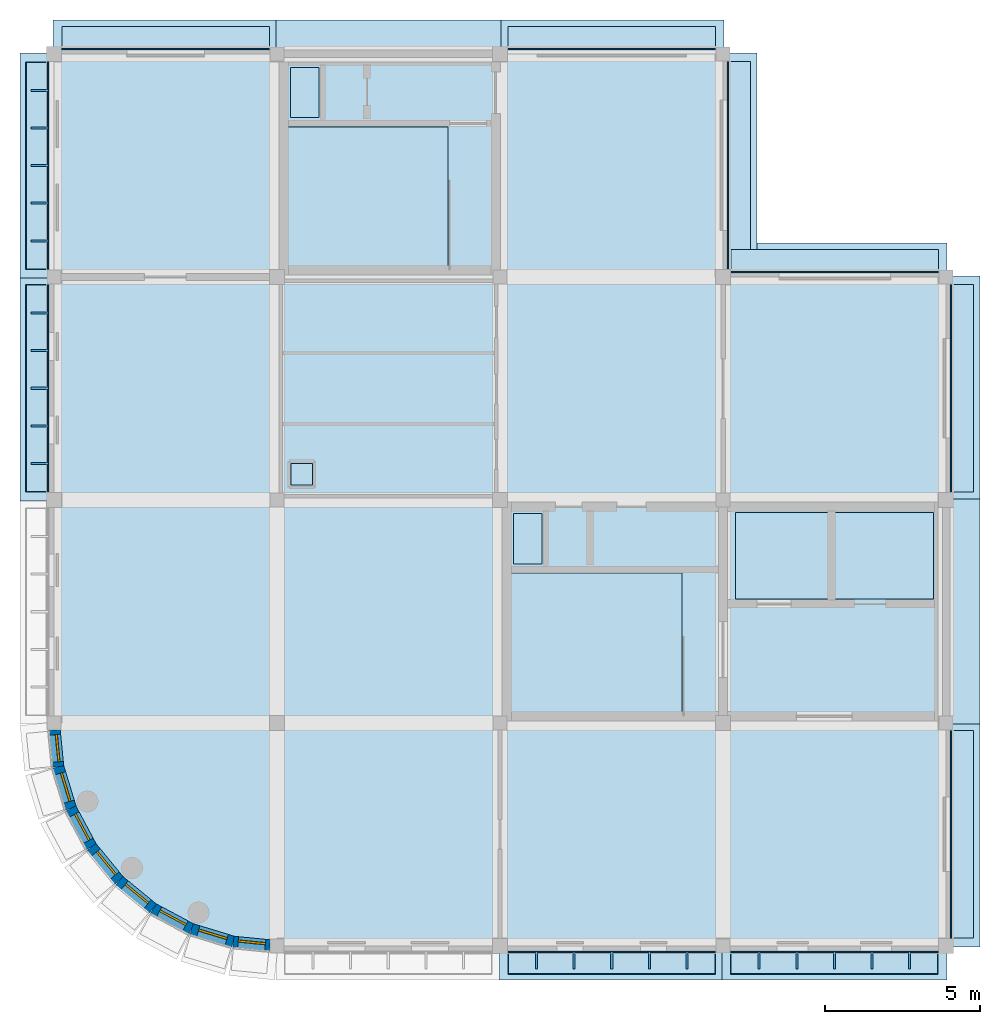
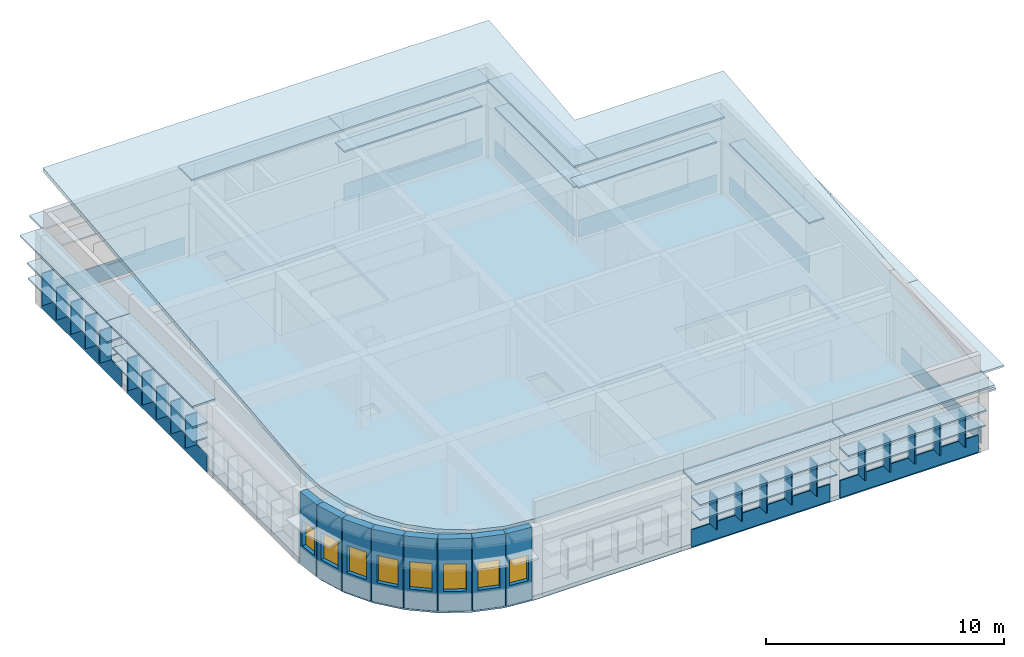
# One storey, part 2 of 6: 56 plates, 8 walls, 8 windows, 2 slabs, 8 openings, 1 element without a shape of its own.
"""IFC4 building model written with IfcOpenShell, lengths in metres."""

from ifc_helpers import new_model, si_unit, direction, frame, frame_2d, origin, origin_2d, place, context, subcontext, project, spatial, polyline, rectangle, outline, extrude, material, layer, layer_set, type_object, element, fill, aggregate, save


model = new_model("IFC4")

# Units and contexts
model_context = context("Model", 3, precision=1e-05, world=origin(), true_north=direction((0.0, 1.0)))
body_context = subcontext(model_context, "Body", "Model", "MODEL_VIEW")
ifc_project = project(units=[si_unit("LENGTHUNIT", "METRE"), si_unit("AREAUNIT", "SQUARE_METRE"), si_unit("VOLUMEUNIT", "CUBIC_METRE"), si_unit("PLANEANGLEUNIT", "RADIAN"), si_unit("MASSUNIT", "GRAM", prefix="KILO")], contexts=[model_context])

# Site, building, storey
site_placement = place(None, origin())
site = spatial("IfcSite", under=ifc_project, at=site_placement, CompositionType="ELEMENT")
building_placement = place(site_placement, origin())
building = spatial("IfcBuilding", under=site, at=building_placement, Name="Thalmaran Polytechnic", CompositionType="ELEMENT")
storey_placement = place(building_placement, frame((0.0, 0.0, 34.5)))
storey = spatial("IfcBuildingStorey", under=building, at=storey_placement, Name="L08", CompositionType="ELEMENT", Elevation=34.5)

# Plates
ifc_material_1 = material(Name="Anodised aluminium spandrel band", Category="aluminium")
ifc_layer_1 = layer(ifc_material_1, 0.054931640625, Name="Anodised aluminium spandrel band")
ifc_layer_set_1 = layer_set([ifc_layer_1], Name="Anodised aluminium spandrel band")
plate_type_1 = type_object("IfcPlateType", Name="PT-BD01", PredefinedType="SHEET", material=ifc_layer_set_1)
for number, where, z_axis, x_axis, name in (
    (1, (-0.195068359375, 18.007568359375, 0.02001953125), (0.0, 0.0, 1.0), (0.0, 1.0, 0.0), "Streamline Horizontal Spandrel Band L08-007"),
    (2, (-0.195068359375, 25.1923828125, 0.02001953125), (0.0, 0.0, 1.0), (0.0, 1.0, 0.0), "Streamline Horizontal Spandrel Band L08-008"),
    (3, (3.607421875, 28.9599609375, 0.02001953125), (0.0, 0.0, 1.0), (1.0, 0.0, 0.0), "Streamline Horizontal Spandrel Band L08-009"),
    (4, (18.007568359375, 28.9599609375, 0.02001953125), (0.0, 0.0, 1.0), (1.0, 0.0, 0.0), "Streamline Horizontal Spandrel Band L08-011"),
    (5, (21.760009765625, 25.20751953125, 0.02001953125), (0.0, 0.0, 1.0), (0.0, -1.0, 0.0), "Streamline Horizontal Spandrel Band L08-012"),
    (6, (25.20751953125, 21.760009765625, 0.02001953125), (0.0, 0.0, 1.0), (1.0, 0.0, 0.0), "Streamline Horizontal Spandrel Band L08-013"),
    (7, (28.9599609375, 18.007568359375, 0.02001953125), (0.0, 0.0, 1.0), (0.0, -1.0, 0.0), "Streamline Horizontal Spandrel Band L08-014"),
    (8, (28.9599609375, 3.607421875, 0.02001953125), (0.0, 0.0, 1.0), (0.0, -1.0, 0.0), "Streamline Horizontal Spandrel Band L08-016"),
    (9, (25.1923828125, -0.195068359375, 0.02001953125), (0.0, 0.0, 1.0), (-1.0, 0.0, 0.0), "Streamline Horizontal Spandrel Band L08-017"),
    (10, (18.007568359375, -0.195068359375, 0.02001953125), (0.0, 0.0, 1.0), (-1.0, 0.0, 0.0), "Streamline Horizontal Spandrel Band L08-018"),
):
    element("IfcPlate", number, at=place(storey_placement, frame(where, z_axis=z_axis, x_axis=x_axis)), inside=storey, type_object=plate_type_1, Name=name, PredefinedType="SHEET", context=body_context, shape_type="SweptSolid", body=[
        extrude(rectangle(XDim=6.695068359375, YDim=0.054931640625, at=origin_2d()), origin(), (0.0, 0.0, 1.0), 0.8798828125),
    ])
ifc_material_2 = material(Name="Anodised aluminium sun-hood eyebrow", Category="aluminium")
ifc_layer_2 = layer(ifc_material_2, 0.0849609375, Name="Anodised aluminium sun-hood eyebrow")
ifc_layer_set_2 = layer_set([ifc_layer_2], Name="Anodised aluminium sun-hood eyebrow")
plate_type_2 = type_object("IfcPlateType", Name="PT-EB01", PredefinedType="SHEET", material=ifc_layer_set_2)
plate_1_placement = place(storey_placement, frame((-0.5400390625, 18.007568359375, 2.517578125), z_axis=(0.0, 0.0, 1.0), x_axis=(0.0, 1.0, 0.0)))
element("IfcPlate", 11, at=plate_1_placement, inside=storey, type_object=plate_type_2, Name="Streamline Sun-Hood Eyebrow L08-007", PredefinedType="SHEET", context=body_context, shape_type="SweptSolid", body=[
    extrude(rectangle(XDim=6.695068359375, YDim=0.760009765625, at=origin_2d()), origin(), (0.0, 0.0, 1.0), 0.0849609375),
])
plate_2_placement = place(storey_placement, frame((-0.52001953125, 18.007568359375, 1.74267578125), z_axis=(0.0, 0.0, 1.0), x_axis=(0.0, 1.0, 0.0)))
element("IfcPlate", 12, at=plate_2_placement, inside=storey, type_object=plate_type_2, Name="Abu Dhabi Horizontal Solar Louvre L08-007", PredefinedType="SHEET", context=body_context, shape_type="SweptSolid", body=[
    extrude(rectangle(XDim=6.655029296875, YDim=0.719970703125, at=origin_2d()), origin(), (0.0, 0.0, 1.0), 0.074951171875),
])
plate_3_placement = place(storey_placement, frame((-0.5400390625, 25.1923828125, 2.517578125), z_axis=(0.0, 0.0, 1.0), x_axis=(0.0, 1.0, 0.0)))
element("IfcPlate", 13, at=plate_3_placement, inside=storey, type_object=plate_type_2, Name="Streamline Sun-Hood Eyebrow L08-008", PredefinedType="SHEET", context=body_context, shape_type="SweptSolid", body=[
    extrude(rectangle(XDim=6.695068359375, YDim=0.760009765625, at=origin_2d()), origin(), (0.0, 0.0, 1.0), 0.0849609375),
])
plate_4_placement = place(storey_placement, frame((-0.52001953125, 25.1923828125, 1.74267578125), z_axis=(0.0, 0.0, 1.0), x_axis=(0.0, 1.0, 0.0)))
element("IfcPlate", 14, at=plate_4_placement, inside=storey, type_object=plate_type_2, Name="Abu Dhabi Horizontal Solar Louvre L08-008", PredefinedType="SHEET", context=body_context, shape_type="SweptSolid", body=[
    extrude(rectangle(XDim=6.655029296875, YDim=0.719970703125, at=origin_2d()), origin(), (0.0, 0.0, 1.0), 0.074951171875),
])
for number, where, z_axis, x_axis, name in (
    (15, (3.607421875, 29.304931640625, 2.517578125), (0.0, 0.0, 1.0), (1.0, 0.0, 0.0), "Streamline Sun-Hood Eyebrow L08-009"),
    (16, (18.007568359375, 29.304931640625, 2.517578125), (0.0, 0.0, 1.0), (1.0, 0.0, 0.0), "Streamline Sun-Hood Eyebrow L08-011"),
    (17, (22.10498046875, 25.20751953125, 2.517578125), (0.0, 0.0, 1.0), (0.0, -1.0, 0.0), "Streamline Sun-Hood Eyebrow L08-012"),
    (18, (25.20751953125, 22.10498046875, 2.517578125), (0.0, 0.0, 1.0), (1.0, 0.0, 0.0), "Streamline Sun-Hood Eyebrow L08-013"),
    (19, (29.304931640625, 18.007568359375, 2.517578125), (0.0, 0.0, 1.0), (0.0, -1.0, 0.0), "Streamline Sun-Hood Eyebrow L08-014"),
    (20, (29.304931640625, 3.607421875, 2.517578125), (0.0, 0.0, 1.0), (0.0, -1.0, 0.0), "Streamline Sun-Hood Eyebrow L08-016"),
    (21, (25.1923828125, -0.5400390625, 2.517578125), (0.0, 0.0, 1.0), (-1.0, 0.0, 0.0), "Streamline Sun-Hood Eyebrow L08-017"),
):
    element("IfcPlate", number, at=place(storey_placement, frame(where, z_axis=z_axis, x_axis=x_axis)), inside=storey, type_object=plate_type_2, Name=name, PredefinedType="SHEET", context=body_context, shape_type="SweptSolid", body=[
        extrude(rectangle(XDim=6.695068359375, YDim=0.760009765625, at=origin_2d()), origin(), (0.0, 0.0, 1.0), 0.0849609375),
    ])
plate_5_placement = place(storey_placement, frame((25.1923828125, -0.52001953125, 1.74267578125), z_axis=(0.0, 0.0, 1.0), x_axis=(-1.0, 0.0, 0.0)))
element("IfcPlate", 22, at=plate_5_placement, inside=storey, type_object=plate_type_2, Name="Abu Dhabi Horizontal Solar Louvre L08-017", PredefinedType="SHEET", context=body_context, shape_type="SweptSolid", body=[
    extrude(rectangle(XDim=6.655029296875, YDim=0.719970703125, at=origin_2d()), origin(), (0.0, 0.0, 1.0), 0.074951171875),
])
plate_6_placement = place(storey_placement, frame((18.007568359375, -0.5400390625, 2.517578125), z_axis=(0.0, 0.0, 1.0), x_axis=(-1.0, 0.0, 0.0)))
element("IfcPlate", 23, at=plate_6_placement, inside=storey, type_object=plate_type_2, Name="Streamline Sun-Hood Eyebrow L08-018", PredefinedType="SHEET", context=body_context, shape_type="SweptSolid", body=[
    extrude(rectangle(XDim=6.695068359375, YDim=0.760009765625, at=origin_2d()), origin(), (0.0, 0.0, 1.0), 0.0849609375),
])
plate_7_placement = place(storey_placement, frame((18.007568359375, -0.52001953125, 1.74267578125), z_axis=(0.0, 0.0, 1.0), x_axis=(-1.0, 0.0, 0.0)))
element("IfcPlate", 24, at=plate_7_placement, inside=storey, type_object=plate_type_2, Name="Abu Dhabi Horizontal Solar Louvre L08-018", PredefinedType="SHEET", context=body_context, shape_type="SweptSolid", body=[
    extrude(rectangle(XDim=6.655029296875, YDim=0.719970703125, at=origin_2d()), origin(), (0.0, 0.0, 1.0), 0.074951171875),
])
ifc_material_3 = material(Name="Anodised bronze brise-soleil fin")
ifc_layer_3 = layer(ifc_material_3, 0.06494140625, Name="Anodised bronze brise-soleil fin")
ifc_layer_set_3 = layer_set([ifc_layer_3], Name="Anodised bronze brise-soleil fin")
plate_type_3 = type_object("IfcPlateType", Name="PT-FN01", PredefinedType="SHEET", material=ifc_layer_set_3)
for number, where, z_axis, x_axis, name in (
    (25, (-0.4599609375, 15.5830078125, 0.89501953125), (0.0, 0.0, 1.0), (0.0, 1.0, 0.0), "Abu Dhabi Solar Brise-Soleil Fin L08-007-1"),
    (26, (-0.4599609375, 16.795166015625, 0.89501953125), (0.0, 0.0, 1.0), (0.0, 1.0, 0.0), "Abu Dhabi Solar Brise-Soleil Fin L08-007-2"),
    (27, (-0.4599609375, 18.007568359375, 0.89501953125), (0.0, 0.0, 1.0), (0.0, 1.0, 0.0), "Abu Dhabi Solar Brise-Soleil Fin L08-007-3"),
    (28, (-0.4599609375, 19.2197265625, 0.89501953125), (0.0, 0.0, 1.0), (0.0, 1.0, 0.0), "Abu Dhabi Solar Brise-Soleil Fin L08-007-4"),
    (29, (-0.4599609375, 20.43212890625, 0.89501953125), (0.0, 0.0, 1.0), (0.0, 1.0, 0.0), "Abu Dhabi Solar Brise-Soleil Fin L08-007-5"),
    (30, (-0.4599609375, 22.767822265625, 0.89501953125), (0.0, 0.0, 1.0), (0.0, 1.0, 0.0), "Abu Dhabi Solar Brise-Soleil Fin L08-008-1"),
    (31, (-0.4599609375, 23.980224609375, 0.89501953125), (0.0, 0.0, 1.0), (0.0, 1.0, 0.0), "Abu Dhabi Solar Brise-Soleil Fin L08-008-2"),
    (32, (-0.4599609375, 25.1923828125, 0.89501953125), (0.0, 0.0, 1.0), (0.0, 1.0, 0.0), "Abu Dhabi Solar Brise-Soleil Fin L08-008-3"),
    (33, (-0.4599609375, 26.40478515625, 0.89501953125), (0.0, 0.0, 1.0), (0.0, 1.0, 0.0), "Abu Dhabi Solar Brise-Soleil Fin L08-008-4"),
    (34, (-0.4599609375, 27.6171875, 0.89501953125), (0.0, 0.0, 1.0), (0.0, 1.0, 0.0), "Abu Dhabi Solar Brise-Soleil Fin L08-008-5"),
    (35, (27.6171875, -0.4599609375, 0.89501953125), (0.0, 0.0, 1.0), (-1.0, 0.0, 0.0), "Abu Dhabi Solar Brise-Soleil Fin L08-017-1"),
    (36, (26.40478515625, -0.4599609375, 0.89501953125), (0.0, 0.0, 1.0), (-1.0, 0.0, 0.0), "Abu Dhabi Solar Brise-Soleil Fin L08-017-2"),
    (37, (25.1923828125, -0.4599609375, 0.89501953125), (0.0, 0.0, 1.0), (-1.0, 0.0, 0.0), "Abu Dhabi Solar Brise-Soleil Fin L08-017-3"),
    (38, (23.980224609375, -0.4599609375, 0.89501953125), (0.0, 0.0, 1.0), (-1.0, 0.0, 0.0), "Abu Dhabi Solar Brise-Soleil Fin L08-017-4"),
    (39, (22.767822265625, -0.4599609375, 0.89501953125), (0.0, 0.0, 1.0), (-1.0, 0.0, 0.0), "Abu Dhabi Solar Brise-Soleil Fin L08-017-5"),
    (40, (20.43212890625, -0.4599609375, 0.89501953125), (0.0, 0.0, 1.0), (-1.0, 0.0, 0.0), "Abu Dhabi Solar Brise-Soleil Fin L08-018-1"),
    (41, (19.2197265625, -0.4599609375, 0.89501953125), (0.0, 0.0, 1.0), (-1.0, 0.0, 0.0), "Abu Dhabi Solar Brise-Soleil Fin L08-018-2"),
    (42, (18.007568359375, -0.4599609375, 0.89501953125), (0.0, 0.0, 1.0), (-1.0, 0.0, 0.0), "Abu Dhabi Solar Brise-Soleil Fin L08-018-3"),
    (43, (16.795166015625, -0.4599609375, 0.89501953125), (0.0, 0.0, 1.0), (-1.0, 0.0, 0.0), "Abu Dhabi Solar Brise-Soleil Fin L08-018-4"),
    (44, (15.5830078125, -0.4599609375, 0.89501953125), (0.0, 0.0, 1.0), (-1.0, 0.0, 0.0), "Abu Dhabi Solar Brise-Soleil Fin L08-018-5"),
):
    element("IfcPlate", number, at=place(storey_placement, frame(where, z_axis=z_axis, x_axis=x_axis)), inside=storey, type_object=plate_type_3, Name=name, PredefinedType="SHEET", context=body_context, shape_type="SweptSolid", body=[
        extrude(rectangle(XDim=0.06494140625, YDim=0.56005859375, at=origin_2d()), origin(), (0.0, 0.0, 1.0), 1.64990234375),
    ])
ifc_material_4 = material(Name="Anodised aluminium belvedere visor", Category="aluminium")
ifc_layer_4 = layer(ifc_material_4, 0.094970703125, Name="Anodised aluminium belvedere visor")
ifc_layer_set_4 = layer_set([ifc_layer_4], Name="Anodised aluminium belvedere visor")
plate_type_4 = type_object("IfcPlateType", Name="PT-VS01", PredefinedType="SHEET", material=ifc_layer_set_4)
for number, where, z_axis, x_axis, name in (
    (45, (-0.52001953125, 18.0, 3.79248046875), (0.0, 0.0, 1.0), (0.0, 1.0, 0.0), "Belvedere Aerofoil Roof Visor 007"),
    (46, (-0.52001953125, 25.199951171875, 3.79248046875), (0.0, 0.0, 1.0), (0.0, 1.0, 0.0), "Belvedere Aerofoil Roof Visor 008"),
    (47, (3.60009765625, 29.320068359375, 3.79248046875), (0.0, 0.0, 1.0), (1.0, 0.0, 0.0), "Belvedere Aerofoil Roof Visor 009"),
    (48, (10.800048828125, 29.320068359375, 3.79248046875), (0.0, 0.0, 1.0), (1.0, 0.0, 0.0), "Belvedere Aerofoil Roof Visor 010"),
    (49, (18.0, 29.320068359375, 3.79248046875), (0.0, 0.0, 1.0), (1.0, 0.0, 0.0), "Belvedere Aerofoil Roof Visor 011"),
    (50, (22.1201171875, 25.199951171875, 3.79248046875), (0.0, 0.0, 1.0), (0.0, -1.0, 0.0), "Belvedere Aerofoil Roof Visor 012"),
    (51, (25.199951171875, 22.1201171875, 3.79248046875), (0.0, 0.0, 1.0), (1.0, 0.0, 0.0), "Belvedere Aerofoil Roof Visor 013"),
    (52, (29.320068359375, 18.0, 3.79248046875), (0.0, 0.0, 1.0), (0.0, -1.0, 0.0), "Belvedere Aerofoil Roof Visor 014"),
    (53, (29.320068359375, 10.800048828125, 3.79248046875), (0.0, 0.0, 1.0), (0.0, -1.0, 0.0), "Belvedere Aerofoil Roof Visor 015"),
    (54, (29.320068359375, 3.60009765625, 3.79248046875), (0.0, 0.0, 1.0), (0.0, -1.0, 0.0), "Belvedere Aerofoil Roof Visor 016"),
    (55, (25.199951171875, -0.52001953125, 3.79248046875), (0.0, 0.0, 1.0), (-1.0, 0.0, 0.0), "Belvedere Aerofoil Roof Visor 017"),
    (56, (18.0, -0.52001953125, 3.79248046875), (0.0, 0.0, 1.0), (-1.0, 0.0, 0.0), "Belvedere Aerofoil Roof Visor 018"),
):
    element("IfcPlate", number, at=place(storey_placement, frame(where, z_axis=z_axis, x_axis=x_axis)), inside=storey, type_object=plate_type_4, Name=name, PredefinedType="SHEET", context=body_context, shape_type="SweptSolid", body=[
        extrude(rectangle(XDim=7.260009765625, YDim=1.14990234375, at=origin_2d()), origin(), (0.0, 0.0, 1.0), 0.094970703125),
    ])

# Slab
ifc_material_5 = material(Name="Concrete C40/50", Category="concrete")
ifc_layer_5 = layer(ifc_material_5, 0.215087890625, Name="Concrete C40/50")
ifc_layer_set_5 = layer_set([ifc_layer_5], Name="Concrete C40/50")
slab_type_1 = type_object("IfcSlabType", Name="SL-FL09", PredefinedType="FLOOR", material=ifc_layer_set_5)
slab_1_placement = place(storey_placement, frame((0.0, 0.0, -0.215087890625)))
element("IfcSlab", 57, at=slab_1_placement, inside=storey, type_object=slab_type_1, Name="V1S L08 Structural Slab", PredefinedType="FLOOR", context=body_context, shape_type="SweptSolid", body=[
    extrude(outline(polyline([(0.0, 14.39990234375), (0.0, 21.60009765625), (0.0, 28.800048828125), (7.199951171875, 28.800048828125), (14.39990234375, 28.800048828125), (21.60009765625, 28.800048828125), (21.60009765625, 21.60009765625), (28.800048828125, 21.60009765625), (28.800048828125, 14.39990234375), (28.800048828125, 7.199951171875), (28.800048828125, 0.0), (21.60009765625, 0.0), (14.39990234375, 0.0), (7.199951171875, 0.0), (5.79541015625, 0.138427734375), (4.444580078125, 0.548095703125), (3.199951171875, 1.21337890625), (2.10888671875, 2.10888671875), (1.21337890625, 3.199951171875), (0.548095703125, 4.444580078125), (0.138427734375, 5.79541015625), (0.0, 7.199951171875), (0.0, 14.39990234375)]), holes=[polyline([(28.39990234375, 11.199951171875), (28.39990234375, 14.0), (22.0, 14.0), (22.0, 11.199951171875), (28.39990234375, 11.199951171875)]), polyline([(14.64990234375, 12.0400390625), (14.64990234375, 7.449951171875), (20.280029296875, 7.449951171875), (20.280029296875, 12.0400390625), (14.64990234375, 12.0400390625)]), polyline([(15.760009765625, 13.9599609375), (14.840087890625, 13.9599609375), (14.840087890625, 12.340087890625), (15.760009765625, 12.340087890625), (15.760009765625, 13.9599609375)]), polyline([(7.449951171875, 21.85009765625), (12.719970703125, 21.85009765625), (12.719970703125, 26.43994140625), (7.449951171875, 26.43994140625), (7.449951171875, 21.85009765625)]), polyline([(7.639892578125, 28.360107421875), (7.639892578125, 26.739990234375), (8.56005859375, 26.739990234375), (8.56005859375, 28.360107421875), (7.639892578125, 28.360107421875)]), polyline([(8.35009765625, 15.580078125), (7.64990234375, 15.580078125), (7.64990234375, 14.8798828125), (8.35009765625, 14.8798828125), (8.35009765625, 15.580078125)])]), origin(), (0.0, 0.0, 1.0), 0.215087890625),
])

# Roof, slab
ifc_material_6 = material(Name="High-SRI standing-seam aluminium roofing", Category="aluminium")
ifc_layer_6 = layer(ifc_material_6, 0.239990234375, Name="High-SRI standing-seam aluminium roofing")
ifc_layer_set_6 = layer_set([ifc_layer_6], Name="High-SRI standing-seam aluminium roofing")
roof_type = type_object("IfcRoofType", Name="RF-GB01", PredefinedType="GABLE_ROOF", material=ifc_layer_set_6)
roof_placement = place(storey_placement, origin())
roof = element("IfcRoof", 58, at=roof_placement, inside=storey, type_object=roof_type, Name="Corner Belvedere Streamline Aerofoil Roof", PredefinedType="GABLE_ROOF")
ifc_layer_7 = layer(ifc_material_5, 0.205078125, Name="Concrete C40/50")
ifc_layer_set_7 = layer_set([ifc_layer_7], Name="Concrete C40/50")
slab_type_2 = type_object("IfcSlabType", Name="SL-RF04", PredefinedType="ROOF", material=ifc_layer_set_7)
slab_2_placement = place(storey_placement, frame((3.199951171875, 1.21337890625, 4.077392578125), z_axis=(4.9862e-08, -0.104430572255, 0.994532179257), x_axis=(-0.77126950458, 0.633028400924, 0.066471008177)))
slab_2 = element("IfcSlab", 59, at=slab_2_placement, type_object=slab_type_2, Name="Belvedere Curved Aerofoil Roof Slab", PredefinedType="ROOF", context=body_context, shape_type="SweptSolid", body=[
    extrude(outline(polyline([(0.0, 0.0), (1.41463450407879, 4.683753385137379e-17), (2.8035982173026266, -0.2761274697642119), (4.113294664635296, -0.8179043784405587), (5.293801507103285, -1.6047293545080807), (6.299482827550423, -2.60585247955727), (10.907499139309312, -8.189471907340167), (15.515686227291123, -13.773298267844908), (20.12371876732349, -19.356937359710855), (14.570615993988874, -23.939769067963674), (9.017513220654257, -28.522600776216493), (3.4642221491007503, -33.10558788210616), (-1.143810390931615, -27.521948790240216), (-6.696913164266232, -32.104780498493035), (-11.305100252248042, -26.520954137988294), (-15.913116564006932, -20.937334710205395), (-20.521149104039296, -15.35369561833945), (-14.968046330704682, -10.770863910086632), (-9.414755259151177, -6.187876804196963), (-3.861652485816559, -1.605045095944144), (-2.6897704487889333, -0.8184036543426865), (-1.3857287683610693, -0.2762861841809713), (0.0, 0.0)])), origin(), (0.0, 0.0, -1.0), 0.205078125),
])
aggregate(roof, [slab_2])

# Wall, opening, window
ifc_material_7 = material(Name="Precast concrete C40/50", Category="concrete")
ifc_layer_8 = layer(ifc_material_7, 0.360107421875, Name="Precast concrete C40/50")
ifc_layer_set_8 = layer_set([ifc_layer_8], Name="Precast concrete C40/50")
wall_type = type_object("IfcWallType", Name="WL-EW01", PredefinedType="STANDARD", material=ifc_layer_set_8)
wall_1_placement = place(storey_placement, frame((3.199951171875, 1.21337890625, 0.0), z_axis=(0.0, 0.0, 1.0), x_axis=(-0.772977670605, 0.634433227965, 0.0)))
wall_1 = element("IfcWall", 60, at=wall_1_placement, inside=storey, type_object=wall_type, Name="Exterior Precast Facade Wall L08-001", PredefinedType="STANDARD", context=body_context, shape_type="SweptSolid", body=[
    extrude(rectangle(XDim=1.41162109375, YDim=0.360107421875, at=frame_2d((0.705810546875, 0.0))), origin(), (0.0, 0.0, 1.0), 3.695068359375),
])
opening_1_placement = place(wall_1_placement, frame((0.2255859375, 0.0, 1.0)))
opening_1 = element("IfcOpeningElement", 61, at=opening_1_placement, cuts=wall_1, Name="Opening CR01", PredefinedType="OPENING", context=body_context, shape_type="SweptSolid", body=[
    extrude(rectangle(XDim=0.9599609375, YDim=1.39990234375, at=frame_2d((0.47998046875, 0.699951171875))), frame((0.0, 0.18994140625, 0.0), z_axis=(0.0, -1.0, 0.0), x_axis=(1.0, 0.0, 0.0)), (0.0, 0.0, 1.0), 0.380126953125),
])
ifc_material_8 = material(Name="Thermally broken aluminium and double low-E glass", Category="aluminium")
window_type_1 = type_object("IfcWindowType", Name="WN-CR01", PartitioningType="SINGLE_PANEL", PredefinedType="WINDOW", material=ifc_material_8)
window_1_placement = place(opening_1_placement, origin())
window_1 = element("IfcWindow", 62, at=window_1_placement, inside=storey, type_object=window_type_1, Name="Curved Prow Ribbon Window W-0786", OverallHeight=1.39990234375, OverallWidth=0.9599609375, PartitioningType="SINGLE_PANEL", PredefinedType="WINDOW", context=body_context, shape_type="SweptSolid", body=[
    extrude(rectangle(XDim=0.9599609375, YDim=1.39990234375, at=frame_2d((0.47998046875, 0.699951171875))), frame((0.0, -0.010009765625, 0.0), z_axis=(0.0, -1.0, 0.0), x_axis=(1.0, 0.0, 0.0)), (0.0, 0.0, 1.0), 0.06005859375),
])
fill(opening_1, window_1)

wall_2_placement = place(storey_placement, frame((2.10888671875, 2.10888671875, 0.0), z_axis=(0.0, 0.0, 1.0), x_axis=(-0.634433227965, 0.772977670605, 0.0)))
wall_2 = element("IfcWall", 63, at=wall_2_placement, inside=storey, type_object=wall_type, Name="Exterior Precast Facade Wall L08-002", PredefinedType="STANDARD", context=body_context, shape_type="SweptSolid", body=[
    extrude(rectangle(XDim=1.41162109375, YDim=0.360107421875, at=frame_2d((0.705810546875, 0.0))), origin(), (0.0, 0.0, 1.0), 3.695068359375),
])
opening_2_placement = place(wall_2_placement, frame((0.2255859375, 0.0, 1.0)))
opening_2 = element("IfcOpeningElement", 64, at=opening_2_placement, cuts=wall_2, Name="Opening CR01", PredefinedType="OPENING", context=body_context, shape_type="SweptSolid", body=[
    extrude(rectangle(XDim=0.9599609375, YDim=1.39990234375, at=frame_2d((0.47998046875, 0.699951171875))), frame((0.0, 0.18994140625, 0.0), z_axis=(0.0, -1.0, 0.0), x_axis=(1.0, 0.0, 0.0)), (0.0, 0.0, 1.0), 0.380126953125),
])
window_2_placement = place(opening_2_placement, origin())
window_2 = element("IfcWindow", 65, at=window_2_placement, inside=storey, type_object=window_type_1, Name="Curved Prow Ribbon Window W-0787", OverallHeight=1.39990234375, OverallWidth=0.9599609375, PartitioningType="SINGLE_PANEL", PredefinedType="WINDOW", context=body_context, shape_type="SweptSolid", body=[
    extrude(rectangle(XDim=0.9599609375, YDim=1.39990234375, at=frame_2d((0.47998046875, 0.699951171875))), frame((0.0, -0.010009765625, 0.0), z_axis=(0.0, -1.0, 0.0), x_axis=(1.0, 0.0, 0.0)), (0.0, 0.0, 1.0), 0.06005859375),
])
fill(opening_2, window_2)

wall_3_placement = place(storey_placement, frame((1.21337890625, 3.199951171875, 0.0), z_axis=(0.0, 0.0, 1.0), x_axis=(-0.471405109778, 0.881916788861, 0.0)))
wall_3 = element("IfcWall", 66, at=wall_3_placement, inside=storey, type_object=wall_type, Name="Exterior Precast Facade Wall L08-003", PredefinedType="STANDARD", context=body_context, shape_type="SweptSolid", body=[
    extrude(rectangle(XDim=1.411376953125, YDim=0.360107421875, at=frame_2d((0.70556640625, 0.0))), origin(), (0.0, 0.0, 1.0), 3.695068359375),
])
opening_3_placement = place(wall_3_placement, frame((0.2255859375, 0.0, 1.0)))
opening_3 = element("IfcOpeningElement", 67, at=opening_3_placement, cuts=wall_3, Name="Opening CR01", PredefinedType="OPENING", context=body_context, shape_type="SweptSolid", body=[
    extrude(rectangle(XDim=0.9599609375, YDim=1.39990234375, at=frame_2d((0.47998046875, 0.699951171875))), frame((0.0, 0.18994140625, 0.0), z_axis=(0.0, -1.0, 0.0), x_axis=(1.0, 0.0, 0.0)), (0.0, 0.0, 1.0), 0.380126953125),
])
window_3_placement = place(opening_3_placement, origin())
window_3 = element("IfcWindow", 68, at=window_3_placement, inside=storey, type_object=window_type_1, Name="Curved Prow Ribbon Window W-0788", OverallHeight=1.39990234375, OverallWidth=0.9599609375, PartitioningType="SINGLE_PANEL", PredefinedType="WINDOW", context=body_context, shape_type="SweptSolid", body=[
    extrude(rectangle(XDim=0.9599609375, YDim=1.39990234375, at=frame_2d((0.47998046875, 0.699951171875))), frame((0.0, -0.010009765625, 0.0), z_axis=(0.0, -1.0, 0.0), x_axis=(1.0, 0.0, 0.0)), (0.0, 0.0, 1.0), 0.06005859375),
])
fill(opening_3, window_3)

wall_4_placement = place(storey_placement, frame((0.548095703125, 4.444580078125, 0.0), z_axis=(0.0, 0.0, 1.0), x_axis=(-0.290218599957, 0.95696037757, 0.0)))
wall_4 = element("IfcWall", 69, at=wall_4_placement, inside=storey, type_object=wall_type, Name="Exterior Precast Facade Wall L08-004", PredefinedType="STANDARD", context=body_context, shape_type="SweptSolid", body=[
    extrude(rectangle(XDim=1.41162109375, YDim=0.360107421875, at=frame_2d((0.705810546875, 0.0))), origin(), (0.0, 0.0, 1.0), 3.695068359375),
])
opening_4_placement = place(wall_4_placement, frame((0.2255859375, 0.0, 1.0)))
opening_4 = element("IfcOpeningElement", 70, at=opening_4_placement, cuts=wall_4, Name="Opening CR01", PredefinedType="OPENING", context=body_context, shape_type="SweptSolid", body=[
    extrude(rectangle(XDim=0.9599609375, YDim=1.39990234375, at=frame_2d((0.47998046875, 0.699951171875))), frame((0.0, 0.18994140625, 0.0), z_axis=(0.0, -1.0, 0.0), x_axis=(1.0, 0.0, 0.0)), (0.0, 0.0, 1.0), 0.380126953125),
])
window_4_placement = place(opening_4_placement, origin())
window_4 = element("IfcWindow", 71, at=window_4_placement, inside=storey, type_object=window_type_1, Name="Curved Prow Ribbon Window W-0789", OverallHeight=1.39990234375, OverallWidth=0.9599609375, PartitioningType="SINGLE_PANEL", PredefinedType="WINDOW", context=body_context, shape_type="SweptSolid", body=[
    extrude(rectangle(XDim=0.9599609375, YDim=1.39990234375, at=frame_2d((0.47998046875, 0.699951171875))), frame((0.0, -0.010009765625, 0.0), z_axis=(0.0, -1.0, 0.0), x_axis=(1.0, 0.0, 0.0)), (0.0, 0.0, 1.0), 0.06005859375),
])
fill(opening_4, window_4)

wall_5_placement = place(storey_placement, frame((0.138427734375, 5.79541015625, 0.0), z_axis=(0.0, 0.0, 1.0), x_axis=(-0.098158901932, 0.995170754178, 0.0)))
wall_5 = element("IfcWall", 72, at=wall_5_placement, inside=storey, type_object=wall_type, Name="Exterior Precast Facade Wall L08-005", PredefinedType="STANDARD", context=body_context, shape_type="SweptSolid", body=[
    extrude(rectangle(XDim=1.186279296875, YDim=0.360107421875, at=frame_2d((0.59326171875, 0.0))), origin(), (0.0, 0.0, 1.0), 3.695068359375),
])
opening_5_placement = place(wall_5_placement, frame((0.1533203125, 0.0, 1.0)))
opening_5 = element("IfcOpeningElement", 73, at=opening_5_placement, cuts=wall_5, Name="Opening CR02", PredefinedType="OPENING", context=body_context, shape_type="SweptSolid", body=[
    extrude(rectangle(XDim=0.8798828125, YDim=1.300048828125, at=frame_2d((0.43994140625, 0.64990234375))), frame((0.0, 0.18994140625, 0.0), z_axis=(0.0, -1.0, 0.0), x_axis=(1.0, 0.0, 0.0)), (0.0, 0.0, 1.0), 0.380126953125),
])
window_type_2 = type_object("IfcWindowType", Name="WN-CR02", PartitioningType="SINGLE_PANEL", PredefinedType="WINDOW", material=ifc_material_8)
window_5_placement = place(opening_5_placement, origin())
window_5 = element("IfcWindow", 74, at=window_5_placement, inside=storey, type_object=window_type_2, Name="Curved Prow Ribbon Window W-0790", OverallHeight=1.300048828125, OverallWidth=0.8798828125, PartitioningType="SINGLE_PANEL", PredefinedType="WINDOW", context=body_context, shape_type="SweptSolid", body=[
    extrude(rectangle(XDim=0.8798828125, YDim=1.300048828125, at=frame_2d((0.43994140625, 0.64990234375))), frame((0.0, -0.010009765625, 0.0), z_axis=(0.0, -1.0, 0.0), x_axis=(1.0, 0.0, 0.0)), (0.0, 0.0, 1.0), 0.06005859375),
])
fill(opening_5, window_5)

wall_6_placement = place(storey_placement, frame((6.97607421875, 0.02197265625, 0.0), z_axis=(0.0, 0.0, 1.0), x_axis=(-0.995170754178, 0.098158901932, 0.0)))
wall_6 = element("IfcWall", 75, at=wall_6_placement, inside=storey, type_object=wall_type, Name="Exterior Precast Facade Wall L08-020", PredefinedType="STANDARD", context=body_context, shape_type="SweptSolid", body=[
    extrude(rectangle(XDim=1.186279296875, YDim=0.360107421875, at=frame_2d((0.59326171875, 0.0))), origin(), (0.0, 0.0, 1.0), 3.695068359375),
])
opening_6_placement = place(wall_6_placement, frame((0.1533203125, 0.0, 1.0)))
opening_6 = element("IfcOpeningElement", 76, at=opening_6_placement, cuts=wall_6, Name="Opening CR02", PredefinedType="OPENING", context=body_context, shape_type="SweptSolid", body=[
    extrude(rectangle(XDim=0.8798828125, YDim=1.300048828125, at=frame_2d((0.43994140625, 0.64990234375))), frame((0.0, 0.18994140625, 0.0), z_axis=(0.0, -1.0, 0.0), x_axis=(1.0, 0.0, 0.0)), (0.0, 0.0, 1.0), 0.380126953125),
])
window_6_placement = place(opening_6_placement, origin())
window_6 = element("IfcWindow", 77, at=window_6_placement, inside=storey, type_object=window_type_2, Name="Curved Prow Ribbon Window W-0809", OverallHeight=1.300048828125, OverallWidth=0.8798828125, PartitioningType="SINGLE_PANEL", PredefinedType="WINDOW", context=body_context, shape_type="SweptSolid", body=[
    extrude(rectangle(XDim=0.8798828125, YDim=1.300048828125, at=frame_2d((0.43994140625, 0.64990234375))), frame((0.0, -0.010009765625, 0.0), z_axis=(0.0, -1.0, 0.0), x_axis=(1.0, 0.0, 0.0)), (0.0, 0.0, 1.0), 0.06005859375),
])
fill(opening_6, window_6)

wall_7_placement = place(storey_placement, frame((5.79541015625, 0.138427734375, 0.0), z_axis=(0.0, 0.0, 1.0), x_axis=(-0.95696037757, 0.290218599957, 0.0)))
wall_7 = element("IfcWall", 78, at=wall_7_placement, inside=storey, type_object=wall_type, Name="Exterior Precast Facade Wall L08-021", PredefinedType="STANDARD", context=body_context, shape_type="SweptSolid", body=[
    extrude(rectangle(XDim=1.41162109375, YDim=0.360107421875, at=frame_2d((0.705810546875, 0.0))), origin(), (0.0, 0.0, 1.0), 3.695068359375),
])
opening_7_placement = place(wall_7_placement, frame((0.2255859375, 0.0, 1.0)))
opening_7 = element("IfcOpeningElement", 79, at=opening_7_placement, cuts=wall_7, Name="Opening CR01", PredefinedType="OPENING", context=body_context, shape_type="SweptSolid", body=[
    extrude(rectangle(XDim=0.9599609375, YDim=1.39990234375, at=frame_2d((0.47998046875, 0.699951171875))), frame((0.0, 0.18994140625, 0.0), z_axis=(0.0, -1.0, 0.0), x_axis=(1.0, 0.0, 0.0)), (0.0, 0.0, 1.0), 0.380126953125),
])
window_7_placement = place(opening_7_placement, origin())
window_7 = element("IfcWindow", 80, at=window_7_placement, inside=storey, type_object=window_type_1, Name="Curved Prow Ribbon Window W-0810", OverallHeight=1.39990234375, OverallWidth=0.9599609375, PartitioningType="SINGLE_PANEL", PredefinedType="WINDOW", context=body_context, shape_type="SweptSolid", body=[
    extrude(rectangle(XDim=0.9599609375, YDim=1.39990234375, at=frame_2d((0.47998046875, 0.699951171875))), frame((0.0, -0.010009765625, 0.0), z_axis=(0.0, -1.0, 0.0), x_axis=(1.0, 0.0, 0.0)), (0.0, 0.0, 1.0), 0.06005859375),
])
fill(opening_7, window_7)

wall_8_placement = place(storey_placement, frame((4.444580078125, 0.548095703125, 0.0), z_axis=(0.0, 0.0, 1.0), x_axis=(-0.881916788861, 0.471405109778, 0.0)))
wall_8 = element("IfcWall", 81, at=wall_8_placement, inside=storey, type_object=wall_type, Name="Exterior Precast Facade Wall L08-022", PredefinedType="STANDARD", context=body_context, shape_type="SweptSolid", body=[
    extrude(rectangle(XDim=1.411376953125, YDim=0.360107421875, at=frame_2d((0.70556640625, 0.0))), origin(), (0.0, 0.0, 1.0), 3.695068359375),
])
opening_8_placement = place(wall_8_placement, frame((0.2255859375, 0.0, 1.0)))
opening_8 = element("IfcOpeningElement", 82, at=opening_8_placement, cuts=wall_8, Name="Opening CR01", PredefinedType="OPENING", context=body_context, shape_type="SweptSolid", body=[
    extrude(rectangle(XDim=0.9599609375, YDim=1.39990234375, at=frame_2d((0.47998046875, 0.699951171875))), frame((0.0, 0.18994140625, 0.0), z_axis=(0.0, -1.0, 0.0), x_axis=(1.0, 0.0, 0.0)), (0.0, 0.0, 1.0), 0.380126953125),
])
window_8_placement = place(opening_8_placement, origin())
window_8 = element("IfcWindow", 83, at=window_8_placement, inside=storey, type_object=window_type_1, Name="Curved Prow Ribbon Window W-0811", OverallHeight=1.39990234375, OverallWidth=0.9599609375, PartitioningType="SINGLE_PANEL", PredefinedType="WINDOW", context=body_context, shape_type="SweptSolid", body=[
    extrude(rectangle(XDim=0.9599609375, YDim=1.39990234375, at=frame_2d((0.47998046875, 0.699951171875))), frame((0.0, -0.010009765625, 0.0), z_axis=(0.0, -1.0, 0.0), x_axis=(1.0, 0.0, 0.0)), (0.0, 0.0, 1.0), 0.06005859375),
])
fill(opening_8, window_8)

save(model, "model.ifc")
